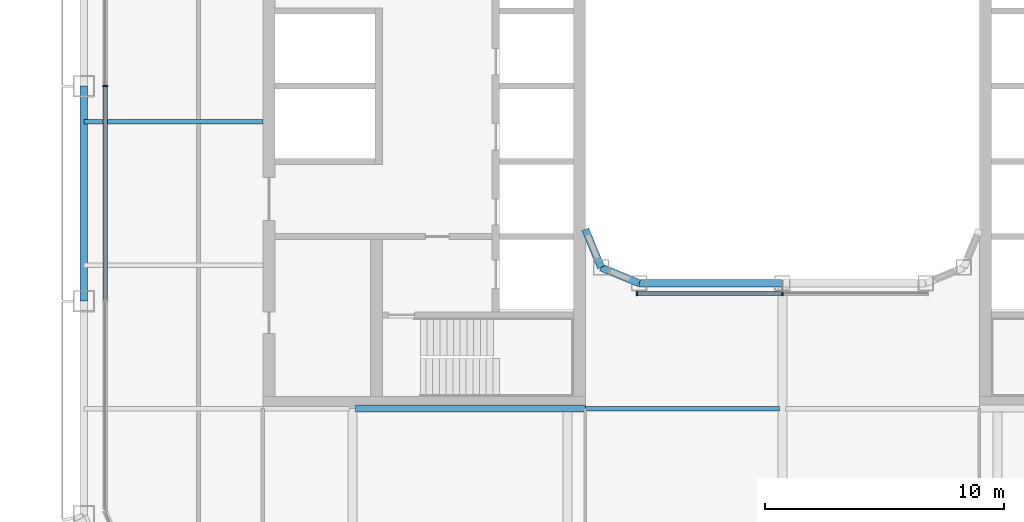
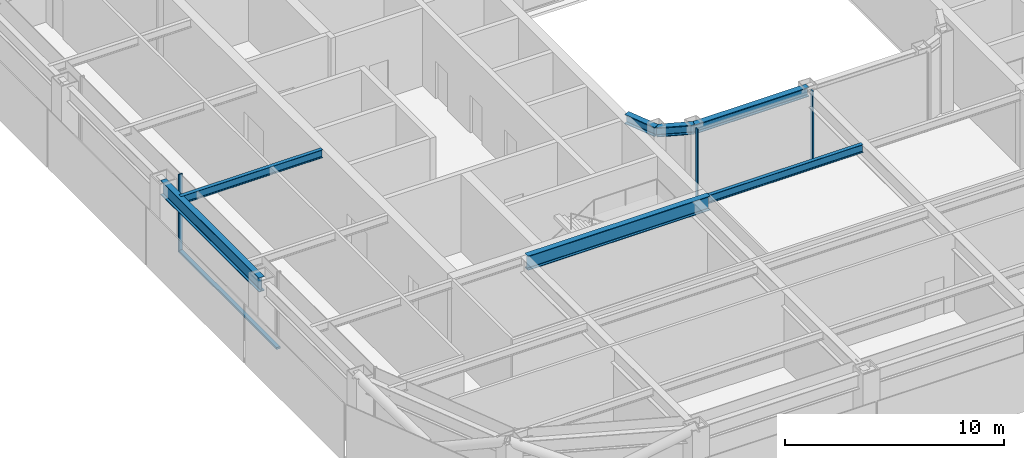
# One storey, part 3 of 23: 7 beams, 5 members, 2 elements without a shape of their own.
"""IFC4 building model written with IfcOpenShell, lengths in metres."""

import ifcopenshell
import ifcopenshell.guid

model = None  # the IFC model being written
_history = None  # IfcOwnerHistory: only IFC2X3 demands one
_inside = {}  # id of a spatial element -> (the spatial element, [elements in it])
_under = {}  # id of a project, library or spatial element -> (it, [spatial elements below it])
_declared = {}  # id of a project -> (the project, [libraries it declares])
_typed = {}  # id of a type object -> (the type object, [elements of that type])
_made_of = {}  # id of a material, layer set ... -> (it, [elements and type objects made of it])


def new_model(schema):
    """Start an empty IFC model of exactly this schema.

    Asked for "IFC4X3", IfcOpenShell would pick the latest addendum, in which some entities
    have other attributes; the version numbers below select the first issue.
    IFC2X3 requires an IfcOwnerHistory on every rooted entity: one is made here for all.
    """
    global model, _history
    if schema == "IFC4X3":
        model = ifcopenshell.file(schema_version=(4, 3, 0, 0))
    else:
        model = ifcopenshell.file(schema=schema)
    _inside.clear()
    _under.clear()
    _declared.clear()
    _typed.clear()
    _made_of.clear()
    _history = None
    if model.schema == "IFC2X3":
        org = make("IfcOrganization", Name="unknown")
        user = make(
            "IfcPersonAndOrganization",
            ThePerson=make("IfcPerson", FamilyName="unknown"),
            TheOrganization=org,
        )
        app = make(
            "IfcApplication",
            ApplicationDeveloper=org,
            Version="unknown",
            ApplicationFullName="unknown",
            ApplicationIdentifier="unknown",
        )
        _history = make(
            "IfcOwnerHistory",
            OwningUser=user,
            OwningApplication=app,
            ChangeAction="ADDED",
            CreationDate=0,
        )
    return model


def make(cls, **values):
    """One entity of the class cls with the attributes given. An attribute that is None is left unset."""
    return model.create_entity(
        cls, **{name: value for name, value in values.items() if value is not None}
    )


def rooted(cls, **values):
    """An entity with a GlobalId (a new one), such as an element, a storey or a relation."""
    return make(cls, GlobalId=ifcopenshell.guid.new(), OwnerHistory=_history, **values)


def si_unit(unit_type, name, prefix=None):
    """IfcSIUnit, for example si_unit("LENGTHUNIT", "METRE", prefix="MILLI")."""
    return make("IfcSIUnit", UnitType=unit_type, Prefix=prefix, Name=name)


def assignment(units):
    """IfcUnitAssignment: the units of a project."""
    return None if units is None else make("IfcUnitAssignment", Units=units)


def point(xyz):
    """IfcCartesianPoint."""
    return None if xyz is None else make("IfcCartesianPoint", Coordinates=xyz)


def direction(xyz):
    """IfcDirection."""
    return None if xyz is None else make("IfcDirection", DirectionRatios=xyz)


def frame(location, z_axis=None, x_axis=None):
    """IfcAxis2Placement3D, a coordinate frame: its origin and axes. An axis left out is left unset."""
    return make(
        "IfcAxis2Placement3D",
        Location=point(location),
        Axis=direction(z_axis),
        RefDirection=direction(x_axis),
    )


def frame_2d(location, x_axis=None):
    """IfcAxis2Placement2D, a coordinate frame in the plane: its origin and x axis."""
    return make(
        "IfcAxis2Placement2D", Location=point(location), RefDirection=direction(x_axis)
    )


def origin():
    """The frame at (0, 0, 0) with its axes left unset."""
    return frame((0.0, 0.0, 0.0))


def origin_2d():
    """The frame at (0, 0) in the plane with its x axis left unset."""
    return frame_2d((0.0, 0.0))


def place(relative_to, where):
    """IfcLocalPlacement: puts the frame where relative to a parent placement (None: the world)."""
    return make(
        "IfcLocalPlacement", PlacementRelTo=relative_to, RelativePlacement=where
    )


def context(
    kind, dimensions, precision=None, world=None, true_north=None, identifier=None
):
    """IfcGeometricRepresentationContext, for example the 3D "Model" context."""
    return make(
        "IfcGeometricRepresentationContext",
        ContextIdentifier=identifier,
        ContextType=kind,
        CoordinateSpaceDimension=dimensions,
        Precision=precision,
        WorldCoordinateSystem=world,
        TrueNorth=true_north,
    )


def subcontext(parent, identifier, kind, view, scale=None):
    """IfcGeometricRepresentationSubContext, for example "Body" below "Model"."""
    return make(
        "IfcGeometricRepresentationSubContext",
        ContextIdentifier=identifier,
        ContextType=kind,
        ParentContext=parent,
        TargetScale=scale,
        TargetView=view,
    )


def project(units=None, contexts=None):
    """IfcProject with its units and contexts."""
    return rooted(
        "IfcProject",
        Name="project",
        RepresentationContexts=contexts,
        UnitsInContext=assignment(units),
    )


def spatial(cls, under=None, at=None, **own):
    """A site, building, storey or space (cls), placed at a placement, below another one or the project."""
    s = rooted(cls, ObjectPlacement=at, **own)
    if under is not None:
        _under.setdefault(under.id(), (under, []))[1].append(s)
    return s


def profile(cls, at=None, kind="AREA", **sizes):
    """A parametric profile (cls). Its sizes go by their IFC names, for example OverallWidth=200.0."""
    return make(cls, ProfileType=kind, Position=at, **sizes)


def rectangle(**sizes):
    """IfcRectangleProfileDef."""
    return profile("IfcRectangleProfileDef", **sizes)


def i_section(**sizes):
    """IfcIShapeProfileDef."""
    return profile("IfcIShapeProfileDef", **sizes)


def extrude(swept, where, along, depth):
    """IfcExtrudedAreaSolid: the profile swept, set in the frame where, extruded along a direction by depth."""
    return make(
        "IfcExtrudedAreaSolid",
        SweptArea=swept,
        Position=where,
        ExtrudedDirection=direction(along),
        Depth=depth,
    )


def shape(context_of_items, identifier, shape_type, items):
    """IfcShapeRepresentation: the items that make up one representation, for example the "Body"."""
    return make(
        "IfcShapeRepresentation",
        ContextOfItems=context_of_items,
        RepresentationIdentifier=identifier,
        RepresentationType=shape_type,
        Items=items,
    )


def material(Name=None, Category=None):
    """IfcMaterial."""
    return make("IfcMaterial", Name=Name, Category=Category)


def layer(
    of_material, thickness, ventilated=None, Name=None, Category=None, Priority=None
):
    """IfcMaterialLayer: one layer of a wall or slab, of a material (None: an air gap)."""
    return make(
        "IfcMaterialLayer",
        Material=of_material,
        LayerThickness=thickness,
        IsVentilated=ventilated,
        Name=Name,
        Category=Category,
        Priority=Priority,
    )


def layer_set(layers, Name=None):
    """IfcMaterialLayerSet."""
    return make("IfcMaterialLayerSet", MaterialLayers=layers, LayerSetName=Name)


def material_profile(
    of_material, cross_section, Name=None, Category=None, Priority=None
):
    """IfcMaterialProfile: a cross section and its material."""
    return make(
        "IfcMaterialProfile",
        Name=Name,
        Material=of_material,
        Profile=cross_section,
        Priority=Priority,
        Category=Category,
    )


def profile_set(profiles, Name=None, composite=None):
    """IfcMaterialProfileSet."""
    return make(
        "IfcMaterialProfileSet",
        Name=Name,
        MaterialProfiles=profiles,
        CompositeProfile=composite,
    )


def made_of(thing, what):
    """Note that an element or type object is made of a material, layer set ...; save() writes the relation."""
    if what is not None:
        _made_of.setdefault(what.id(), (what, []))[1].append(thing)
    return thing


def type_object(cls, material=None, **own):
    """A type object (cls), such as IfcWallType, which elements share."""
    return made_of(rooted(cls, **own), material)


def element(
    cls,
    number,
    at=None,
    inside=None,
    cuts=None,
    type_object=None,
    material=None,
    context=None,
    identifier="Body",
    shape_type=None,
    held_by="IfcProductDefinitionShape",
    body=None,
    shapes=None,
    **own,
):
    """One element of the class cls, such as IfcWall. Its Tag is "e" and its number.

    at: its placement. inside: the storey or other place that contains it. cuts: it is an
    opening in that element (IfcRelVoidsElement). A single representation is given by context,
    identifier, shape_type and body (its items); several are given by shapes. held_by: the class
    of the entity that holds the representations. save() writes the other relations.
    """
    e = rooted(cls, Tag="e%d" % number, ObjectPlacement=at, **own)
    if body is not None:
        shapes = [shape(context, identifier, shape_type, body)]
    if shapes is not None:
        e.Representation = make(held_by, Representations=shapes)
    if inside is not None:
        _inside.setdefault(inside.id(), (inside, []))[1].append(e)
    if cuts is not None:
        rooted(
            "IfcRelVoidsElement", RelatingBuildingElement=cuts, RelatedOpeningElement=e
        )
    if type_object is not None:
        _typed.setdefault(type_object.id(), (type_object, []))[1].append(e)
    return made_of(e, material)


def aggregate(whole, parts):
    """IfcRelAggregates: a whole, such as a stair, and the parts it consists of."""
    return rooted("IfcRelAggregates", RelatingObject=whole, RelatedObjects=parts)


def save(model, path):
    """Write the relations noted so far, then the file.

    IfcRelAggregates (storeys below a building ...), IfcRelContainedInSpatialStructure (elements
    in a storey), IfcRelDefinesByType, IfcRelAssociatesMaterial and IfcRelDeclares: one each for
    every whole, place, type object, material and project.
    """
    for whole, parts in _under.values():
        aggregate(whole, parts)
    for where, things in _inside.values():
        rooted(
            "IfcRelContainedInSpatialStructure",
            RelatedElements=things,
            RelatingStructure=where,
        )
    for kind, things in _typed.values():
        rooted("IfcRelDefinesByType", RelatedObjects=things, RelatingType=kind)
    for what, things in _made_of.values():
        rooted("IfcRelAssociatesMaterial", RelatedObjects=things, RelatingMaterial=what)
    for by, libraries in _declared.values():
        rooted("IfcRelDeclares", RelatingContext=by, RelatedDefinitions=libraries)
    model.write(path)


model = new_model("IFC4")

# Units and contexts
model_context = context("Model", 3, precision=1e-05, world=origin(), true_north=direction((0.0, 1.0)))
body_context = subcontext(model_context, "Body", "Model", "MODEL_VIEW")
ifc_project = project(units=[si_unit("LENGTHUNIT", "METRE"), si_unit("AREAUNIT", "SQUARE_METRE"), si_unit("VOLUMEUNIT", "CUBIC_METRE"), si_unit("PLANEANGLEUNIT", "RADIAN"), si_unit("MASSUNIT", "GRAM", prefix="KILO")], contexts=[model_context])

# Site, building, storey
site_placement = place(None, origin())
site = spatial("IfcSite", under=ifc_project, at=site_placement, CompositionType="ELEMENT")
building_placement = place(site_placement, origin())
building = spatial("IfcBuilding", under=site, at=building_placement, Name="Siwar Civic Tower", CompositionType="ELEMENT")
storey_placement = place(building_placement, frame((0.0, 0.0, 172.199951171875)))
storey = spatial("IfcBuildingStorey", under=building, at=storey_placement, Name="L37", CompositionType="ELEMENT", Elevation=172.199951171875)

# Curtain wall, member
ifc_material_1 = material(Name="Aluminium and glass", Category="aluminium")
ifc_layer_1 = layer(ifc_material_1, 0.199951171875)
ifc_layer_set_1 = layer_set([ifc_layer_1], Name="Aluminium and glass")
curtain_wall_type_1 = type_object("IfcCurtainWallType", Name="ENV-CW-B", PredefinedType="NOTDEFINED", material=ifc_layer_set_1)
curtain_wall_1_placement = place(storey_placement, origin())
curtain_wall_1 = element("IfcCurtainWall", 1, at=curtain_wall_1_placement, inside=storey, type_object=curtain_wall_type_1, Name="Curtain wall B W", PredefinedType="NOTDEFINED")
ifc_material_2 = material(Name="Aluminium 6063-T6", Category="aluminium")
ifc_material_profile_1 = material_profile(ifc_material_2, rectangle(XDim=0.199951171875, YDim=0.06494140625, at=origin_2d()), Name="AL 200x65")
ifc_profile_set_1 = profile_set([ifc_material_profile_1], Name="Aluminium 6063-T6")
member_type_1 = type_object("IfcMemberType", Name="ENV-MULLION-B", PredefinedType="MULLION", material=ifc_profile_set_1)
member_1_placement = place(storey_placement, frame((-28.35009765625, 0.0, 0.0), z_axis=(0.0, 0.0, 1.0), x_axis=(1.0, 0.0, 0.0)))
member_1 = element("IfcMember", 2, at=member_1_placement, type_object=member_type_1, Name="Mullion B W 3", PredefinedType="MULLION", context=body_context, shape_type="SweptSolid", body=[
    extrude(rectangle(XDim=0.199951171875, YDim=0.06494140625, at=origin_2d()), origin(), (0.0, 0.0, 1.0), 4.35009765625),
])

# Curtain wall, members
ifc_material_3 = material(Name="Aluminium and glass", Category="aluminium")
ifc_layer_2 = layer(ifc_material_3, 0.179931640625)
ifc_layer_set_2 = layer_set([ifc_layer_2], Name="Aluminium and glass")
curtain_wall_type_2 = type_object("IfcCurtainWallType", Name="ENV-CW-W", PredefinedType="NOTDEFINED", material=ifc_layer_set_2)
curtain_wall_2_placement = place(storey_placement, origin())
curtain_wall_2 = element("IfcCurtainWall", 3, at=curtain_wall_2_placement, inside=storey, type_object=curtain_wall_type_2, Name="Curtain wall W WS", PredefinedType="NOTDEFINED")
ifc_material_4 = material(Name="Aluminium 6063-T6", Category="aluminium")
ifc_material_profile_2 = material_profile(ifc_material_4, rectangle(XDim=0.179931640625, YDim=0.06005859375, at=origin_2d()), Name="AL 180x60")
ifc_profile_set_2 = profile_set([ifc_material_profile_2], Name="Aluminium 6063-T6")
member_type_2 = type_object("IfcMemberType", Name="ENV-MULLION-W", PredefinedType="MULLION", material=ifc_profile_set_2)
member_2_placement = place(storey_placement, frame((-6.08642578125, -8.68505859375, 0.0), z_axis=(0.0, 0.0, 1.0), x_axis=(0.0, 1.0, 0.0)))
member_2 = element("IfcMember", 4, at=member_2_placement, type_object=member_type_2, Name="Mullion W WS 1", PredefinedType="MULLION", context=body_context, shape_type="SweptSolid", body=[
    extrude(rectangle(XDim=0.179931640625, YDim=0.06005859375, at=origin_2d()), origin(), (0.0, 0.0, 1.0), 4.35009765625),
])
member_3_placement = place(storey_placement, frame((0.0, -8.68505859375, 0.0), z_axis=(0.0, 0.0, 1.0), x_axis=(0.0, 1.0, 0.0)))
member_3 = element("IfcMember", 5, at=member_3_placement, type_object=member_type_2, Name="Mullion W WS 2", PredefinedType="MULLION", context=body_context, shape_type="SweptSolid", body=[
    extrude(rectangle(XDim=0.179931640625, YDim=0.06005859375, at=origin_2d()), origin(), (0.0, 0.0, 1.0), 4.35009765625),
])

# Member
ifc_material_5 = material(Name="Aluminium 6063-T6", Category="aluminium")
ifc_material_profile_3 = material_profile(ifc_material_5, rectangle(XDim=0.199951171875, YDim=0.110107421875, at=origin_2d()), Name="AL 200x110")
ifc_profile_set_3 = profile_set([ifc_material_profile_3], Name="Aluminium 6063-T6")
member_type_3 = type_object("IfcMemberType", Name="ENV-TRANSOM-B", PredefinedType="USERDEFINED", material=ifc_profile_set_3)
member_4_placement = place(storey_placement, frame((-28.35009765625, -0.032470703125, 0.054931640625), z_axis=(0.0, -1.0, 0.0), x_axis=(1.0, 0.0, 0.0)))
member_4 = element("IfcMember", 6, at=member_4_placement, type_object=member_type_3, Name="Transom B W 3", ObjectType="TRANSOM", PredefinedType="USERDEFINED", context=body_context, shape_type="SweptSolid", body=[
    extrude(rectangle(XDim=0.199951171875, YDim=0.110107421875, at=origin_2d()), origin(), (0.0, 0.0, 1.0), 8.93505859375),
])

aggregate(curtain_wall_1, [member_1, member_4])

ifc_material_6 = material(Name="Aluminium 6063-T6", Category="aluminium")
ifc_material_profile_4 = material_profile(ifc_material_6, rectangle(XDim=0.179931640625, YDim=0.10009765625, at=origin_2d()), Name="AL 180x100")
ifc_profile_set_4 = profile_set([ifc_material_profile_4], Name="Aluminium 6063-T6")
member_type_4 = type_object("IfcMemberType", Name="ENV-TRANSOM-W", PredefinedType="USERDEFINED", material=ifc_profile_set_4)
member_5_placement = place(storey_placement, frame((-6.056640625, -8.68505859375, 0.050048828125), z_axis=(1.0, 0.0, 0.0), x_axis=(0.0, 1.0, 0.0)))
member_5 = element("IfcMember", 7, at=member_5_placement, type_object=member_type_4, Name="Transom W WS 1", ObjectType="TRANSOM", PredefinedType="USERDEFINED", context=body_context, shape_type="SweptSolid", body=[
    extrude(rectangle(XDim=0.179931640625, YDim=0.10009765625, at=origin_2d()), origin(), (0.0, 0.0, 1.0), 6.026611328125),
])

aggregate(curtain_wall_2, [member_2, member_3, member_5])

# Beams
ifc_material_7 = material(Name="Steel S355", Category="steel")
ifc_material_profile_5 = material_profile(ifc_material_7, i_section(OverallWidth=0.18994140625, OverallDepth=0.449951171875, WebThickness=0.009521484375, FlangeThickness=0.0146484375, FilletRadius=0.02099609375, at=origin_2d()), Name="IPE450")
ifc_profile_set_5 = profile_set([ifc_material_profile_5], Name="Steel S355")
beam_type_1 = type_object("IfcBeamType", Name="STR-FB-IPE450", PredefinedType="JOIST", material=ifc_profile_set_5)
beam_1_placement = place(storey_placement, frame((-8.25, -13.5, 4.125), z_axis=(1.0, 0.0, 0.0), x_axis=(0.0, 1.0, 0.0)))
element("IfcBeam", 8, at=beam_1_placement, inside=storey, type_object=beam_type_1, Name="L37/bm/F016", PredefinedType="JOIST", context=body_context, shape_type="SweptSolid", body=[
    extrude(i_section(OverallWidth=0.18994140625, OverallDepth=0.449951171875, WebThickness=0.009521484375, FlangeThickness=0.0146484375, FilletRadius=0.02099609375, at=origin_2d()), origin(), (0.0, 0.0, 1.0), 8.1201171875),
])
beam_2_placement = place(storey_placement, frame((-29.25, -1.5, 4.125), z_axis=(1.0, 0.0, 0.0), x_axis=(0.0, 1.0, 0.0)))
element("IfcBeam", 9, at=beam_2_placement, inside=storey, type_object=beam_type_1, Name="L37/bm/F023", PredefinedType="JOIST", context=body_context, shape_type="SweptSolid", body=[
    extrude(i_section(OverallWidth=0.18994140625, OverallDepth=0.449951171875, WebThickness=0.009521484375, FlangeThickness=0.0146484375, FilletRadius=0.02099609375, at=origin_2d()), origin(), (0.0, 0.0, 1.0), 7.5),
])
ifc_material_8 = material(Name="Steel S355", Category="steel")
ifc_material_profile_6 = material_profile(ifc_material_8, i_section(OverallWidth=0.300048828125, OverallDepth=0.800048828125, WebThickness=0.017578125, FlangeThickness=0.032958984375, FilletRadius=0.030029296875, at=origin_2d()), Name="HEB800")
ifc_profile_set_6 = profile_set([ifc_material_profile_6], Name="Steel S355")
beam_type_2 = type_object("IfcBeamType", Name="STR-PG-HEB800", PredefinedType="BEAM", material=ifc_profile_set_6)
beam_3_placement = place(storey_placement, frame((-17.8701171875, -13.5, 3.949951171875), z_axis=(1.0, 0.0, 0.0), x_axis=(0.0, 1.0, 0.0)))
element("IfcBeam", 10, at=beam_3_placement, inside=storey, type_object=beam_type_2, Name="L37/bm/F015", PredefinedType="BEAM", context=body_context, shape_type="SweptSolid", body=[
    extrude(i_section(OverallWidth=0.300048828125, OverallDepth=0.800048828125, WebThickness=0.017578125, FlangeThickness=0.032958984375, FilletRadius=0.030029296875, at=origin_2d()), origin(), (0.0, 0.0, 1.0), 9.6201171875),
])
ifc_material_9 = material(Name="Steel S355", Category="steel")
ifc_material_profile_7 = material_profile(ifc_material_9, i_section(OverallWidth=0.305908203125, OverallDepth=0.52392578125, WebThickness=0.02099609375, FlangeThickness=0.0400390625, FilletRadius=0.027099609375, at=origin_2d()), Name="HEM500")
ifc_profile_set_7 = profile_set([ifc_material_profile_7], Name="Steel S355")
beam_type_3 = type_object("IfcBeamType", Name="STR-RB-HEM500", PredefinedType="BEAM", material=ifc_profile_set_7)
beam_4_placement = place(storey_placement, frame((-7.591064453125, -7.591064453125, 4.088134765625), z_axis=(0.923901072997, -0.382631424892, 0.0), x_axis=(0.382631424892, 0.923901072997, 0.0)))
element("IfcBeam", 11, at=beam_4_placement, inside=storey, type_object=beam_type_3, Name="L37/bm/RS0", PredefinedType="BEAM", context=body_context, shape_type="SweptSolid", body=[
    extrude(i_section(OverallWidth=0.305908203125, OverallDepth=0.52392578125, WebThickness=0.02099609375, FlangeThickness=0.0400390625, FilletRadius=0.027099609375, at=origin_2d()), origin(), (0.0, 0.0, 1.0), 1.72216796875),
])
beam_5_placement = place(storey_placement, frame((-6.0, -8.25, 4.088134765625), z_axis=(1.0, 0.0, 0.0), x_axis=(0.0, 1.0, 0.0)))
element("IfcBeam", 12, at=beam_5_placement, inside=storey, type_object=beam_type_3, Name="L37/bm/RS1", PredefinedType="BEAM", context=body_context, shape_type="SweptSolid", body=[
    extrude(i_section(OverallWidth=0.305908203125, OverallDepth=0.52392578125, WebThickness=0.02099609375, FlangeThickness=0.0400390625, FilletRadius=0.027099609375, at=origin_2d()), origin(), (0.0, 0.0, 1.0), 6.0),
])
beam_6_placement = place(storey_placement, frame((-7.591064453125, -7.591064453125, 4.088134765625), z_axis=(-0.382631424892, 0.923901072997, 0.0), x_axis=(-0.923901072997, -0.382631424892, 0.0)))
element("IfcBeam", 13, at=beam_6_placement, inside=storey, type_object=beam_type_3, Name="L37/bm/RSEW", PredefinedType="BEAM", context=body_context, shape_type="SweptSolid", body=[
    extrude(i_section(OverallWidth=0.305908203125, OverallDepth=0.52392578125, WebThickness=0.02099609375, FlangeThickness=0.0400390625, FilletRadius=0.027099609375, at=origin_2d()), origin(), (0.0, 0.0, 1.0), 1.72216796875),
])
ifc_material_10 = material(Name="Steel S355", Category="steel")
ifc_material_profile_8 = material_profile(ifc_material_10, i_section(OverallWidth=0.300048828125, OverallDepth=0.800048828125, WebThickness=0.017578125, FlangeThickness=0.032958984375, FilletRadius=0.030029296875, at=origin_2d()), Name="HEB800")
ifc_profile_set_8 = profile_set([ifc_material_profile_8], Name="Steel S355")
beam_type_4 = type_object("IfcBeamType", Name="STR-SB-HEB800", PredefinedType="BEAM", material=ifc_profile_set_8)
beam_7_placement = place(storey_placement, frame((-29.25, 0.0, 3.949951171875), z_axis=(0.0, -1.0, 0.0), x_axis=(1.0, 0.0, 0.0)))
element("IfcBeam", 14, at=beam_7_placement, inside=storey, type_object=beam_type_4, Name="L37/bm/SW-2", PredefinedType="BEAM", context=body_context, shape_type="SweptSolid", body=[
    extrude(i_section(OverallWidth=0.300048828125, OverallDepth=0.800048828125, WebThickness=0.017578125, FlangeThickness=0.032958984375, FilletRadius=0.030029296875, at=origin_2d()), origin(), (0.0, 0.0, 1.0), 9.0),
])

save(model, "model.ifc")
